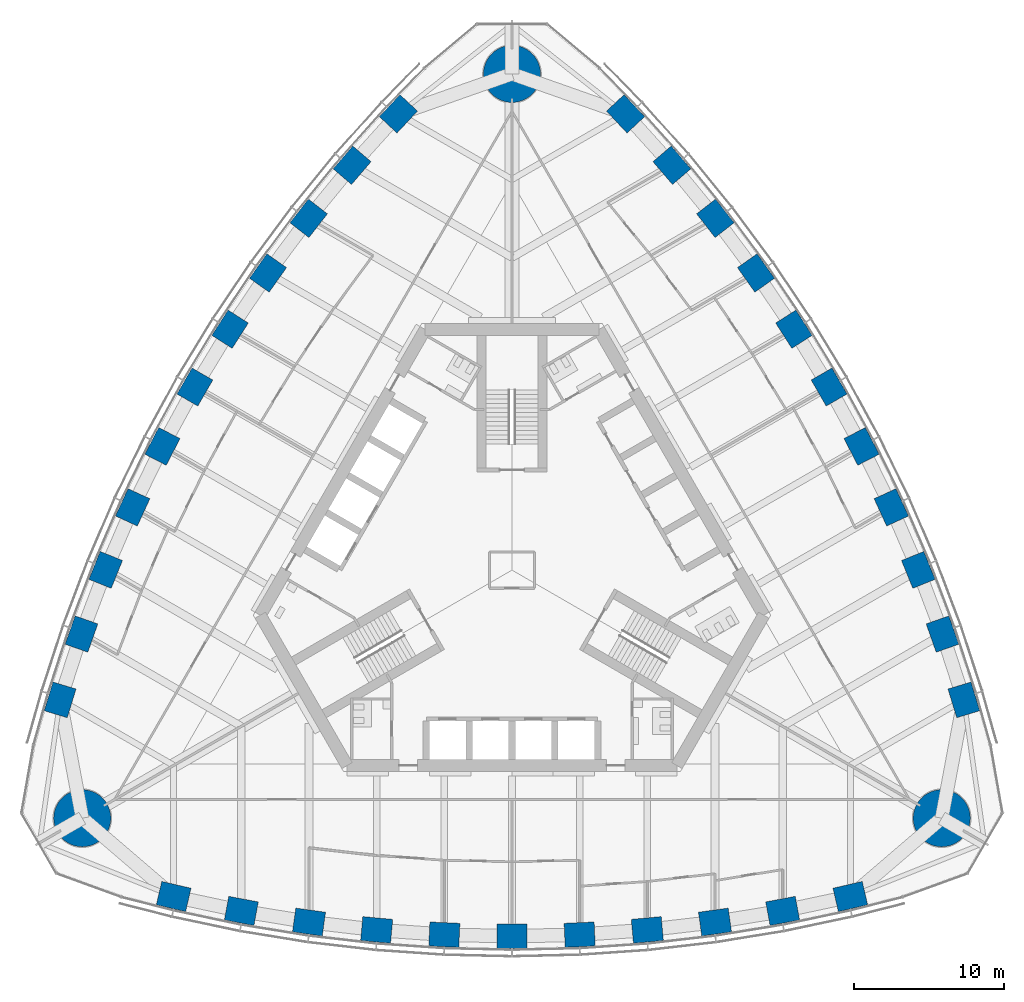
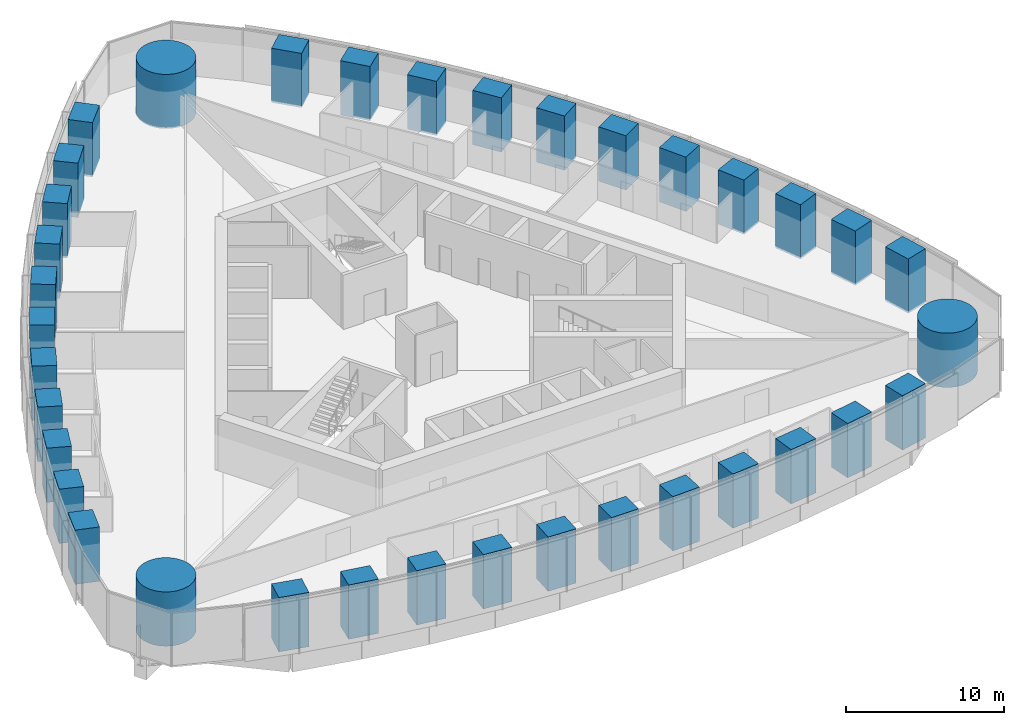
# One storey, part 1 of 19: 36 columns.
"""IFC4 building model written with IfcOpenShell, lengths in metres."""

from ifc_helpers import new_model, si_unit, direction, frame, origin, origin_2d, place, context, subcontext, project, spatial, rectangle, circle, extrude, material, material_profile, profile_set, type_object, element, save


model = new_model("IFC4")

# Units and contexts
model_context = context("Model", 3, precision=1e-05, world=origin(), true_north=direction((0.0, 1.0)))
body_context = subcontext(model_context, "Body", "Model", "MODEL_VIEW")
ifc_project = project(units=[si_unit("LENGTHUNIT", "METRE"), si_unit("AREAUNIT", "SQUARE_METRE"), si_unit("VOLUMEUNIT", "CUBIC_METRE"), si_unit("PLANEANGLEUNIT", "RADIAN"), si_unit("MASSUNIT", "GRAM", prefix="KILO")], contexts=[model_context])

# Site, building, storey
site_placement = place(None, origin())
site = spatial("IfcSite", under=ifc_project, at=site_placement, CompositionType="ELEMENT")
building_placement = place(site_placement, origin())
building = spatial("IfcBuilding", under=site, at=building_placement, Name="Trefoil Bronze Tower", CompositionType="ELEMENT")
storey_placement = place(building_placement, frame((0.0, 0.0, 193.89990234375)))
storey = spatial("IfcBuildingStorey", under=building, at=storey_placement, Name="L44", CompositionType="ELEMENT", Elevation=193.89990234375)

# Columns
ifc_material_1 = material(Name="Concrete B80", Category="concrete")
ifc_material_profile_1 = material_profile(ifc_material_1, circle(Radius=1.89990234375, at=origin_2d()), Name="RC D3800")
ifc_profile_set_1 = profile_set([ifc_material_profile_1], Name="Concrete B80")
column_type_1 = type_object("IfcColumnType", Name="Mega column RC D3800", PredefinedType="COLUMN", material=ifc_profile_set_1)
for number, where, z_axis, x_axis, name in (
    (1, (28.578857421875, -16.5, 0.0), (0.0, 0.0, 1.0), (1.0, 0.0, 0.0), "Mega column K1 L44"),
    (2, (0.0, 33.0, 0.0), (0.0, 0.0, 1.0), (1.0, 0.0, 0.0), "Mega column K2 L44"),
    (3, (-28.578857421875, -16.5, 0.0), (0.0, 0.0, 1.0), (1.0, 0.0, 0.0), "Mega column K3 L44"),
):
    element("IfcColumn", number, at=place(storey_placement, frame(where, z_axis=z_axis, x_axis=x_axis)), inside=storey, type_object=column_type_1, Name=name, PredefinedType="COLUMN", context=body_context, shape_type="SweptSolid", body=[
        extrude(circle(Radius=1.89990234375, at=origin_2d()), origin(), (0.0, 0.0, 1.0), 4.2001953125),
    ])
ifc_material_2 = material(Name="Concrete B80", Category="concrete")
ifc_material_profile_2 = material_profile(ifc_material_2, rectangle(XDim=2.0, YDim=1.60009765625, at=origin_2d()), Name="RC 2000x1600")
ifc_profile_set_2 = profile_set([ifc_material_profile_2], Name="Concrete B80")
column_type_2 = type_object("IfcColumnType", Name="Tube column RC 2000x1600", PredefinedType="COLUMN", material=ifc_profile_set_2)
for number, where, z_axis, x_axis, name in (
    (4, (-22.5, -21.71044921875, 0.0), (0.0, 0.0, 1.0), (0.973875487093, -0.227082662569, 0.0), "Tube column F1/-5 L44"),
    (5, (-18.0, -22.6689453125, 0.0), (0.0, 0.0, 1.0), (0.982958917767, -0.183825368167, 0.0), "Tube column F1/-4 L44"),
    (6, (-13.5, -23.408447265625, 0.0), (0.0, 0.0, 1.0), (0.990450627582, -0.137867887204, 0.0), "Tube column F1/-3 L44"),
    (7, (-9.0, -23.932861328125, 0.0), (0.0, 0.0, 1.0), (0.995767189263, -0.091911396394, 0.0), "Tube column F1/-2 L44"),
    (8, (-4.5, -24.246337890625, 0.0), (0.0, 0.0, 1.0), (0.998943485952, -0.045955542372, 0.0), "Tube column F1/-1 L44"),
    (9, (0.0, -24.3505859375, 0.0), (0.0, 0.0, 1.0), (1.0, 0.0, 0.0), "Tube column F1/+0 L44"),
    (10, (4.5, -24.246337890625, 0.0), (0.0, 0.0, 1.0), (0.998943485952, 0.045955542372, 0.0), "Tube column F1/+1 L44"),
    (11, (9.0, -23.932861328125, 0.0), (0.0, 0.0, 1.0), (0.995767189263, 0.091911396394, 0.0), "Tube column F1/+2 L44"),
    (12, (13.5, -23.408447265625, 0.0), (0.0, 0.0, 1.0), (0.990450627582, 0.137867887204, 0.0), "Tube column F1/+3 L44"),
    (13, (18.0, -22.6689453125, 0.0), (0.0, 0.0, 1.0), (0.982958917767, 0.183825368167, 0.0), "Tube column F1/+4 L44"),
    (14, (22.5, -21.71044921875, 0.0), (0.0, 0.0, 1.0), (0.973875487093, 0.227082662569, 0.0), "Tube column F1/+5 L44"),
    (15, (30.052001953125, -8.63037109375, 0.0), (0.0, 0.0, 1.0), (-0.290278389002, 0.95694224323, 0.0), "Tube column F2/-5 L44"),
    (16, (28.632080078125, -4.25390625, 0.0), (0.0, 0.0, 1.0), (-0.332282020191, 0.943180077746, 0.0), "Tube column F2/-4 L44"),
    (17, (27.022216796875, 0.012939453125, 0.0), (0.0, 0.0, 1.0), (-0.375828221106, 0.926689348282, 0.0), "Tube column F2/-3 L44"),
    (18, (25.2265625, 4.17236328125, 0.0), (0.0, 0.0, 1.0), (-0.418285990457, 0.908315380354, 0.0), "Tube column F2/-2 L44"),
    (19, (23.248046875, 8.22607421875, 0.0), (0.0, 0.0, 1.0), (-0.459673075837, 0.888088206965, 0.0), "Tube column F2/-1 L44"),
    (20, (21.08837890625, 12.17529296875, 0.0), (0.0, 0.0, 1.0), (-0.5, 0.866025403784, 0.0), "Tube column F2/+0 L44"),
    (21, (18.748046875, 16.020263671875, 0.0), (0.0, 0.0, 1.0), (-0.539270410114, 0.842132664593, 0.0), "Tube column F2/+1 L44"),
    (22, (16.2265625, 19.7607421875, 0.0), (0.0, 0.0, 1.0), (-0.577481198806, 0.81640398396, 0.0), "Tube column F2/+2 L44"),
    (23, (13.522216796875, 23.3955078125, 0.0), (0.0, 0.0, 1.0), (-0.614622406476, 0.788821461078, 0.0), "Tube column F2/+3 L44"),
    (24, (10.632080078125, 26.923095703125, 0.0), (0.0, 0.0, 1.0), (-0.650676897576, 0.75935470958, 0.0), "Tube column F2/+4 L44"),
    (25, (7.552001953125, 30.3408203125, 0.0), (0.0, 0.0, 1.0), (-0.683597098091, 0.729859580661, 0.0), "Tube column F2/+5 L44"),
    (26, (-7.552001953125, 30.3408203125, 0.0), (0.0, 0.0, 1.0), (-0.683597098091, -0.729859580661, 0.0), "Tube column F3/-5 L44"),
    (27, (-10.632080078125, 26.923095703125, 0.0), (0.0, 0.0, 1.0), (-0.650676897576, -0.75935470958, 0.0), "Tube column F3/-4 L44"),
    (28, (-13.522216796875, 23.3955078125, 0.0), (0.0, 0.0, 1.0), (-0.614622406476, -0.788821461078, 0.0), "Tube column F3/-3 L44"),
    (29, (-16.2265625, 19.7607421875, 0.0), (0.0, 0.0, 1.0), (-0.577481198806, -0.81640398396, 0.0), "Tube column F3/-2 L44"),
    (30, (-18.748046875, 16.020263671875, 0.0), (0.0, 0.0, 1.0), (-0.539270410114, -0.842132664593, 0.0), "Tube column F3/-1 L44"),
    (31, (-21.08837890625, 12.17529296875, 0.0), (0.0, 0.0, 1.0), (-0.5, -0.866025403784, 0.0), "Tube column F3/+0 L44"),
    (32, (-23.248046875, 8.22607421875, 0.0), (0.0, 0.0, 1.0), (-0.459673075837, -0.888088206965, 0.0), "Tube column F3/+1 L44"),
    (33, (-25.2265625, 4.17236328125, 0.0), (0.0, 0.0, 1.0), (-0.418285990457, -0.908315380354, 0.0), "Tube column F3/+2 L44"),
    (34, (-27.022216796875, 0.012939453125, 0.0), (0.0, 0.0, 1.0), (-0.375828221106, -0.926689348282, 0.0), "Tube column F3/+3 L44"),
    (35, (-28.632080078125, -4.25390625, 0.0), (0.0, 0.0, 1.0), (-0.332282020191, -0.943180077746, 0.0), "Tube column F3/+4 L44"),
    (36, (-30.052001953125, -8.63037109375, 0.0), (0.0, 0.0, 1.0), (-0.290278389002, -0.95694224323, 0.0), "Tube column F3/+5 L44"),
):
    element("IfcColumn", number, at=place(storey_placement, frame(where, z_axis=z_axis, x_axis=x_axis)), inside=storey, type_object=column_type_2, Name=name, PredefinedType="COLUMN", context=body_context, shape_type="SweptSolid", body=[
        extrude(rectangle(XDim=2.0, YDim=1.60009765625, at=origin_2d()), origin(), (0.0, 0.0, 1.0), 4.2001953125),
    ])

save(model, "model.ifc")
